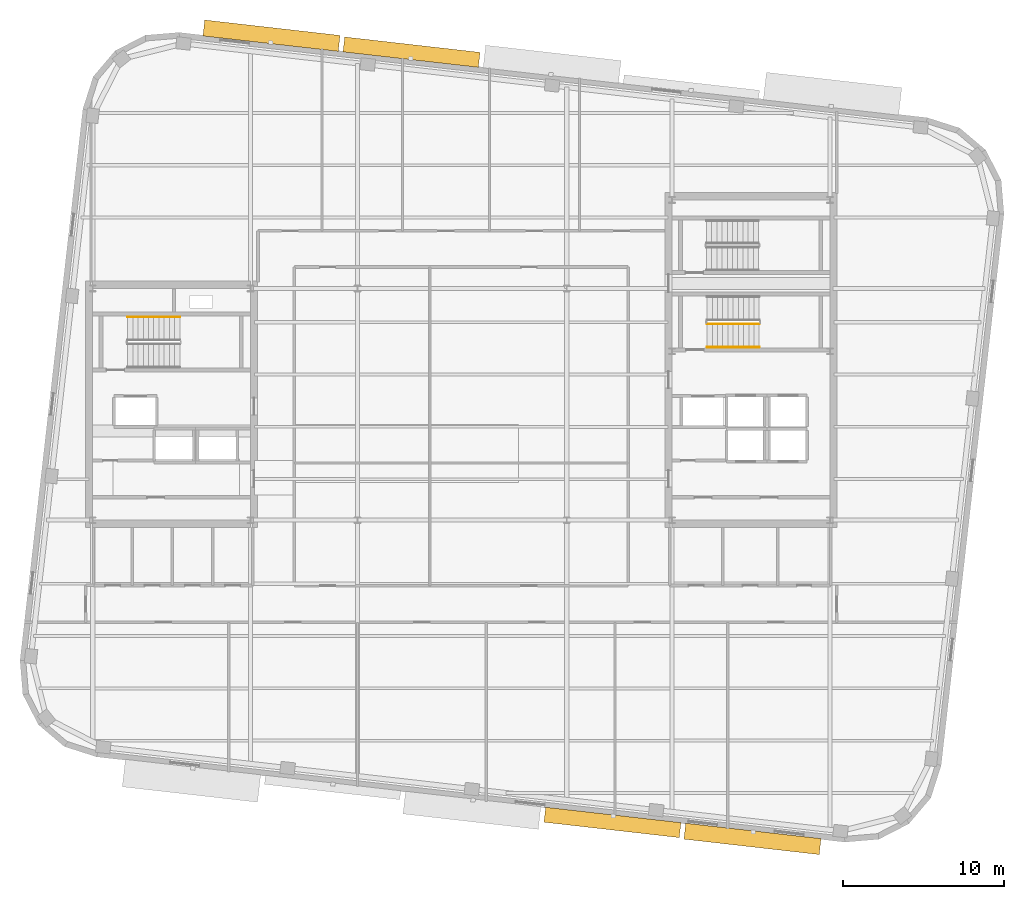
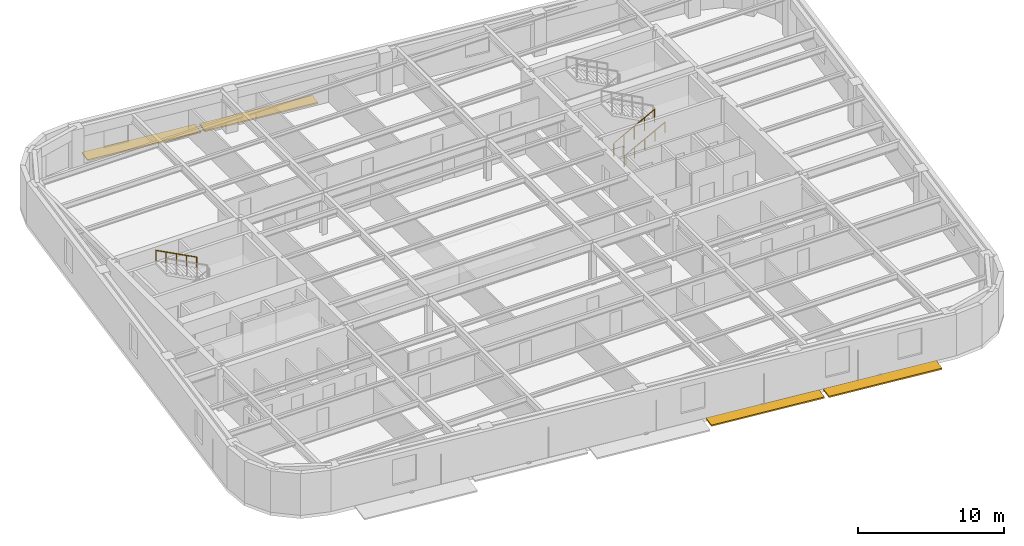
# One storey, part 12 of 13: 4 shading devices, 3 railings.
"""IFC4 building model written with IfcOpenShell, lengths in metres."""

import ifcopenshell
import ifcopenshell.guid

model = None  # the IFC model being written
_history = None  # IfcOwnerHistory: only IFC2X3 demands one
_inside = {}  # id of a spatial element -> (the spatial element, [elements in it])
_under = {}  # id of a project, library or spatial element -> (it, [spatial elements below it])
_declared = {}  # id of a project -> (the project, [libraries it declares])
_typed = {}  # id of a type object -> (the type object, [elements of that type])
_made_of = {}  # id of a material, layer set ... -> (it, [elements and type objects made of it])


def new_model(schema):
    """Start an empty IFC model of exactly this schema.

    Asked for "IFC4X3", IfcOpenShell would pick the latest addendum, in which some entities
    have other attributes; the version numbers below select the first issue.
    IFC2X3 requires an IfcOwnerHistory on every rooted entity: one is made here for all.
    """
    global model, _history
    if schema == "IFC4X3":
        model = ifcopenshell.file(schema_version=(4, 3, 0, 0))
    else:
        model = ifcopenshell.file(schema=schema)
    _inside.clear()
    _under.clear()
    _declared.clear()
    _typed.clear()
    _made_of.clear()
    _history = None
    if model.schema == "IFC2X3":
        org = make("IfcOrganization", Name="unknown")
        user = make(
            "IfcPersonAndOrganization",
            ThePerson=make("IfcPerson", FamilyName="unknown"),
            TheOrganization=org,
        )
        app = make(
            "IfcApplication",
            ApplicationDeveloper=org,
            Version="unknown",
            ApplicationFullName="unknown",
            ApplicationIdentifier="unknown",
        )
        _history = make(
            "IfcOwnerHistory",
            OwningUser=user,
            OwningApplication=app,
            ChangeAction="ADDED",
            CreationDate=0,
        )
    return model


def make(cls, **values):
    """One entity of the class cls with the attributes given. An attribute that is None is left unset."""
    return model.create_entity(
        cls, **{name: value for name, value in values.items() if value is not None}
    )


def rooted(cls, **values):
    """An entity with a GlobalId (a new one), such as an element, a storey or a relation."""
    return make(cls, GlobalId=ifcopenshell.guid.new(), OwnerHistory=_history, **values)


def si_unit(unit_type, name, prefix=None):
    """IfcSIUnit, for example si_unit("LENGTHUNIT", "METRE", prefix="MILLI")."""
    return make("IfcSIUnit", UnitType=unit_type, Prefix=prefix, Name=name)


def assignment(units):
    """IfcUnitAssignment: the units of a project."""
    return None if units is None else make("IfcUnitAssignment", Units=units)


def point(xyz):
    """IfcCartesianPoint."""
    return None if xyz is None else make("IfcCartesianPoint", Coordinates=xyz)


def direction(xyz):
    """IfcDirection."""
    return None if xyz is None else make("IfcDirection", DirectionRatios=xyz)


def frame(location, z_axis=None, x_axis=None):
    """IfcAxis2Placement3D, a coordinate frame: its origin and axes. An axis left out is left unset."""
    return make(
        "IfcAxis2Placement3D",
        Location=point(location),
        Axis=direction(z_axis),
        RefDirection=direction(x_axis),
    )


def frame_2d(location, x_axis=None):
    """IfcAxis2Placement2D, a coordinate frame in the plane: its origin and x axis."""
    return make(
        "IfcAxis2Placement2D", Location=point(location), RefDirection=direction(x_axis)
    )


def origin():
    """The frame at (0, 0, 0) with its axes left unset."""
    return frame((0.0, 0.0, 0.0))


def origin_2d():
    """The frame at (0, 0) in the plane with its x axis left unset."""
    return frame_2d((0.0, 0.0))


def place(relative_to, where):
    """IfcLocalPlacement: puts the frame where relative to a parent placement (None: the world)."""
    return make(
        "IfcLocalPlacement", PlacementRelTo=relative_to, RelativePlacement=where
    )


def context(
    kind, dimensions, precision=None, world=None, true_north=None, identifier=None
):
    """IfcGeometricRepresentationContext, for example the 3D "Model" context."""
    return make(
        "IfcGeometricRepresentationContext",
        ContextIdentifier=identifier,
        ContextType=kind,
        CoordinateSpaceDimension=dimensions,
        Precision=precision,
        WorldCoordinateSystem=world,
        TrueNorth=true_north,
    )


def subcontext(parent, identifier, kind, view, scale=None):
    """IfcGeometricRepresentationSubContext, for example "Body" below "Model"."""
    return make(
        "IfcGeometricRepresentationSubContext",
        ContextIdentifier=identifier,
        ContextType=kind,
        ParentContext=parent,
        TargetScale=scale,
        TargetView=view,
    )


def project(units=None, contexts=None):
    """IfcProject with its units and contexts."""
    return rooted(
        "IfcProject",
        Name="project",
        RepresentationContexts=contexts,
        UnitsInContext=assignment(units),
    )


def spatial(cls, under=None, at=None, **own):
    """A site, building, storey or space (cls), placed at a placement, below another one or the project."""
    s = rooted(cls, ObjectPlacement=at, **own)
    if under is not None:
        _under.setdefault(under.id(), (under, []))[1].append(s)
    return s


def profile(cls, at=None, kind="AREA", **sizes):
    """A parametric profile (cls). Its sizes go by their IFC names, for example OverallWidth=200.0."""
    return make(cls, ProfileType=kind, Position=at, **sizes)


def rectangle(**sizes):
    """IfcRectangleProfileDef."""
    return profile("IfcRectangleProfileDef", **sizes)


def circle(**sizes):
    """IfcCircleProfileDef."""
    return profile("IfcCircleProfileDef", **sizes)


def extrude(swept, where, along, depth):
    """IfcExtrudedAreaSolid: the profile swept, set in the frame where, extruded along a direction by depth."""
    return make(
        "IfcExtrudedAreaSolid",
        SweptArea=swept,
        Position=where,
        ExtrudedDirection=direction(along),
        Depth=depth,
    )


def shape(context_of_items, identifier, shape_type, items):
    """IfcShapeRepresentation: the items that make up one representation, for example the "Body"."""
    return make(
        "IfcShapeRepresentation",
        ContextOfItems=context_of_items,
        RepresentationIdentifier=identifier,
        RepresentationType=shape_type,
        Items=items,
    )


def material(Name=None, Category=None):
    """IfcMaterial."""
    return make("IfcMaterial", Name=Name, Category=Category)


def made_of(thing, what):
    """Note that an element or type object is made of a material, layer set ...; save() writes the relation."""
    if what is not None:
        _made_of.setdefault(what.id(), (what, []))[1].append(thing)
    return thing


def type_object(cls, material=None, **own):
    """A type object (cls), such as IfcWallType, which elements share."""
    return made_of(rooted(cls, **own), material)


def element(
    cls,
    number,
    at=None,
    inside=None,
    cuts=None,
    type_object=None,
    material=None,
    context=None,
    identifier="Body",
    shape_type=None,
    held_by="IfcProductDefinitionShape",
    body=None,
    shapes=None,
    **own,
):
    """One element of the class cls, such as IfcWall. Its Tag is "e" and its number.

    at: its placement. inside: the storey or other place that contains it. cuts: it is an
    opening in that element (IfcRelVoidsElement). A single representation is given by context,
    identifier, shape_type and body (its items); several are given by shapes. held_by: the class
    of the entity that holds the representations. save() writes the other relations.
    """
    e = rooted(cls, Tag="e%d" % number, ObjectPlacement=at, **own)
    if body is not None:
        shapes = [shape(context, identifier, shape_type, body)]
    if shapes is not None:
        e.Representation = make(held_by, Representations=shapes)
    if inside is not None:
        _inside.setdefault(inside.id(), (inside, []))[1].append(e)
    if cuts is not None:
        rooted(
            "IfcRelVoidsElement", RelatingBuildingElement=cuts, RelatedOpeningElement=e
        )
    if type_object is not None:
        _typed.setdefault(type_object.id(), (type_object, []))[1].append(e)
    return made_of(e, material)


def aggregate(whole, parts):
    """IfcRelAggregates: a whole, such as a stair, and the parts it consists of."""
    return rooted("IfcRelAggregates", RelatingObject=whole, RelatedObjects=parts)


def save(model, path):
    """Write the relations noted so far, then the file.

    IfcRelAggregates (storeys below a building ...), IfcRelContainedInSpatialStructure (elements
    in a storey), IfcRelDefinesByType, IfcRelAssociatesMaterial and IfcRelDeclares: one each for
    every whole, place, type object, material and project.
    """
    for whole, parts in _under.values():
        aggregate(whole, parts)
    for where, things in _inside.values():
        rooted(
            "IfcRelContainedInSpatialStructure",
            RelatedElements=things,
            RelatingStructure=where,
        )
    for kind, things in _typed.values():
        rooted("IfcRelDefinesByType", RelatedObjects=things, RelatingType=kind)
    for what, things in _made_of.values():
        rooted("IfcRelAssociatesMaterial", RelatedObjects=things, RelatingMaterial=what)
    for by, libraries in _declared.values():
        rooted("IfcRelDeclares", RelatingContext=by, RelatedDefinitions=libraries)
    model.write(path)


model = new_model("IFC4")

# Units and contexts
model_context = context("Model", 3, precision=1e-05, world=origin(), true_north=direction((0.0, 1.0)))
body_context = subcontext(model_context, "Body", "Model", "MODEL_VIEW")
ifc_project = project(units=[si_unit("LENGTHUNIT", "METRE"), si_unit("AREAUNIT", "SQUARE_METRE"), si_unit("VOLUMEUNIT", "CUBIC_METRE"), si_unit("PLANEANGLEUNIT", "RADIAN"), si_unit("MASSUNIT", "GRAM", prefix="KILO")], contexts=[model_context])

# Site, building, storey
site_placement = place(None, origin())
site = spatial("IfcSite", under=ifc_project, at=site_placement, CompositionType="ELEMENT")
building_placement = place(site_placement, origin())
building = spatial("IfcBuilding", under=site, at=building_placement, Name="Kolvaren Arena Tower", CompositionType="ELEMENT")
storey_placement = place(building_placement, frame((0.0, 0.0, 250.949951171875)))
storey = spatial("IfcBuildingStorey", under=building, at=storey_placement, Name="L61", CompositionType="ELEMENT", Elevation=250.949951171875)

# Railings
ifc_material_1 = material(Name="Painted galvanized steel", Category="steel")
railing_type_1 = type_object("IfcRailingType", Name="GUARD-ST-110", PredefinedType="GUARDRAIL", material=ifc_material_1)
railing_1_placement = place(storey_placement, frame((52.719970703125, 31.639892578125, 0.17041015625)))
element("IfcRailing", 1, at=railing_1_placement, inside=storey, type_object=railing_type_1, Name="L61 ST-E1 stair guard 1", PredefinedType="GUARDRAIL", context=body_context, shape_type="SweptSolid", body=[
    extrude(circle(Radius=0.02392578125, at=origin_2d()), frame((0.0, 0.0, 1.076171875), z_axis=(0.884993431791, 0.0, 0.465603506952), x_axis=(0.0, 1.0, 0.0)), (0.0, 0.0, 1.0), 3.6611328125),
    extrude(circle(Radius=0.02099609375, at=origin_2d()), origin(), (0.0, 0.0, 1.0), 1.052001953125),
    extrude(circle(Radius=0.02099609375, at=origin_2d()), frame((0.81005859375, 0.0, 0.42626953125)), (0.0, 0.0, 1.0), 1.052001953125),
    extrude(circle(Radius=0.02099609375, at=origin_2d()), frame((1.6201171875, 0.0, 0.852294921875)), (0.0, 0.0, 1.0), 1.052001953125),
    extrude(circle(Radius=0.02099609375, at=origin_2d()), frame((2.429931640625, 0.0, 1.2783203125)), (0.0, 0.0, 1.0), 1.052001953125),
    extrude(circle(Radius=0.02099609375, at=origin_2d()), frame((3.239990234375, 0.0, 1.70458984375)), (0.0, 0.0, 1.0), 1.052001953125),
])
ifc_material_2 = material(Name="Brushed stainless steel handrail", Category="steel")
railing_type_2 = type_object("IfcRailingType", Name="HRAIL-900", PredefinedType="HANDRAIL", material=ifc_material_2)
railing_2_placement = place(storey_placement, frame((19.9599609375, 32.080078125, 2.04541015625)))
element("IfcRailing", 2, at=railing_2_placement, inside=storey, type_object=railing_type_2, Name="L61 ST-W1 stair handrail 2", PredefinedType="HANDRAIL", context=body_context, shape_type="SweptSolid", body=[
    extrude(circle(Radius=0.02392578125, at=origin_2d()), frame((0.0, 0.0, 0.8759765625), z_axis=(-0.884993431791, 0.0, 0.465603506952), x_axis=(0.0, -1.0, 0.0)), (0.0, 0.0, 1.0), 3.6611328125),
    extrude(circle(Radius=0.02099609375, at=origin_2d()), origin(), (0.0, 0.0, 1.0), 0.851806640625),
    extrude(circle(Radius=0.02099609375, at=origin_2d()), frame((-0.81005859375, 0.0, 0.42626953125)), (0.0, 0.0, 1.0), 0.851806640625),
    extrude(circle(Radius=0.02099609375, at=origin_2d()), frame((-1.6201171875, 0.0, 0.852294921875)), (0.0, 0.0, 1.0), 0.851806640625),
    extrude(circle(Radius=0.02099609375, at=origin_2d()), frame((-2.429931640625, 0.0, 1.2783203125)), (0.0, 0.0, 1.0), 0.851806640625),
    extrude(circle(Radius=0.02099609375, at=origin_2d()), frame((-3.239990234375, 0.0, 1.70458984375)), (0.0, 0.0, 1.0), 0.851806640625),
])
railing_3_placement = place(storey_placement, frame((52.719970703125, 30.199951171875, 0.17041015625)))
element("IfcRailing", 3, at=railing_3_placement, inside=storey, type_object=railing_type_2, Name="L61 ST-E1 stair handrail 1", PredefinedType="HANDRAIL", context=body_context, shape_type="SweptSolid", body=[
    extrude(circle(Radius=0.02392578125, at=origin_2d()), frame((0.0, 0.0, 0.8759765625), z_axis=(0.884993431791, 0.0, 0.465603506952), x_axis=(0.0, 1.0, 0.0)), (0.0, 0.0, 1.0), 3.6611328125),
    extrude(circle(Radius=0.02099609375, at=origin_2d()), origin(), (0.0, 0.0, 1.0), 0.851806640625),
    extrude(circle(Radius=0.02099609375, at=origin_2d()), frame((0.81005859375, 0.0, 0.42626953125)), (0.0, 0.0, 1.0), 0.851806640625),
    extrude(circle(Radius=0.02099609375, at=origin_2d()), frame((1.6201171875, 0.0, 0.852294921875)), (0.0, 0.0, 1.0), 0.851806640625),
    extrude(circle(Radius=0.02099609375, at=origin_2d()), frame((2.429931640625, 0.0, 1.2783203125)), (0.0, 0.0, 1.0), 0.851806640625),
    extrude(circle(Radius=0.02099609375, at=origin_2d()), frame((3.239990234375, 0.0, 1.70458984375)), (0.0, 0.0, 1.0), 0.851806640625),
])

# Shading devices
ifc_material_3 = material(Name="Architectural precast GFRC and anodised aluminium sunshade", Category="concrete")
shading_device_type = type_object("IfcShadingDeviceType", Name="SHAD-SINE-A", PredefinedType="USERDEFINED", material=ifc_material_3)
shading_device_1_placement = place(storey_placement, frame((25.658447265625, 49.551025390625, -0.139892578125), z_axis=(0.0, 0.0, 1.0), x_axis=(0.993571658098, -0.113204947878, 0.0)))
element("IfcShadingDevice", 4, at=shading_device_1_placement, inside=storey, type_object=shading_device_type, Name="Sinusoidal Slab-Edge Sunshade Louvre (L61)", ObjectType="LOUVRE", PredefinedType="USERDEFINED", context=body_context, shape_type="SweptSolid", body=[
    extrude(rectangle(XDim=8.4599609375, YDim=0.998291015625, at=origin_2d()), origin(), (0.0, 0.0, 1.0), 0.1201171875),
])
shading_device_2_placement = place(storey_placement, frame((34.358642578125, 48.528564453125, -0.139892578125), z_axis=(0.0, 0.0, 1.0), x_axis=(0.993571658098, -0.113204947878, 0.0)))
element("IfcShadingDevice", 5, at=shading_device_2_placement, inside=storey, type_object=shading_device_type, Name="Sinusoidal Slab-Edge Sunshade Louvre (L61)", ObjectType="LOUVRE", PredefinedType="USERDEFINED", context=body_context, shape_type="SweptSolid", body=[
    extrude(rectangle(XDim=8.4599609375, YDim=0.936279296875, at=origin_2d()), origin(), (0.0, 0.0, 1.0), 0.1201171875),
])
shading_device_3_placement = place(storey_placement, frame((55.54150390625, -0.35107421875, -0.139892578125), z_axis=(0.0, 0.0, 1.0), x_axis=(-0.993571658098, 0.113204947878, 0.0)))
element("IfcShadingDevice", 6, at=shading_device_3_placement, inside=storey, type_object=shading_device_type, Name="Sinusoidal Slab-Edge Sunshade Louvre (L61)", ObjectType="LOUVRE", PredefinedType="USERDEFINED", context=body_context, shape_type="SweptSolid", body=[
    extrude(rectangle(XDim=8.4599609375, YDim=0.998291015625, at=origin_2d()), origin(), (0.0, 0.0, 1.0), 0.1201171875),
])
shading_device_4_placement = place(storey_placement, frame((46.84130859375, 0.67138671875, -0.139892578125), z_axis=(0.0, 0.0, 1.0), x_axis=(-0.993571658098, 0.113204947878, 0.0)))
element("IfcShadingDevice", 7, at=shading_device_4_placement, inside=storey, type_object=shading_device_type, Name="Sinusoidal Slab-Edge Sunshade Louvre (L61)", ObjectType="LOUVRE", PredefinedType="USERDEFINED", context=body_context, shape_type="SweptSolid", body=[
    extrude(rectangle(XDim=8.4599609375, YDim=0.936279296875, at=origin_2d()), origin(), (0.0, 0.0, 1.0), 0.1201171875),
])

save(model, "model.ifc")
